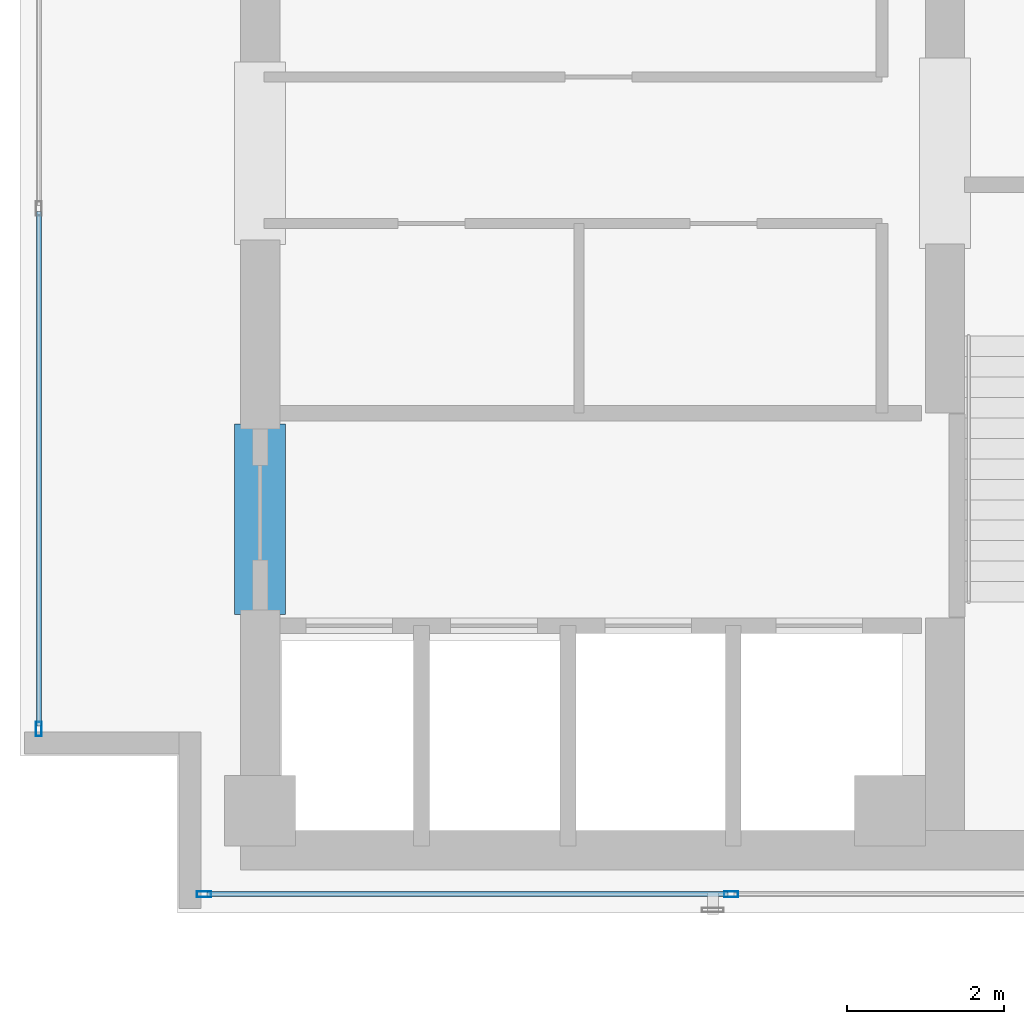
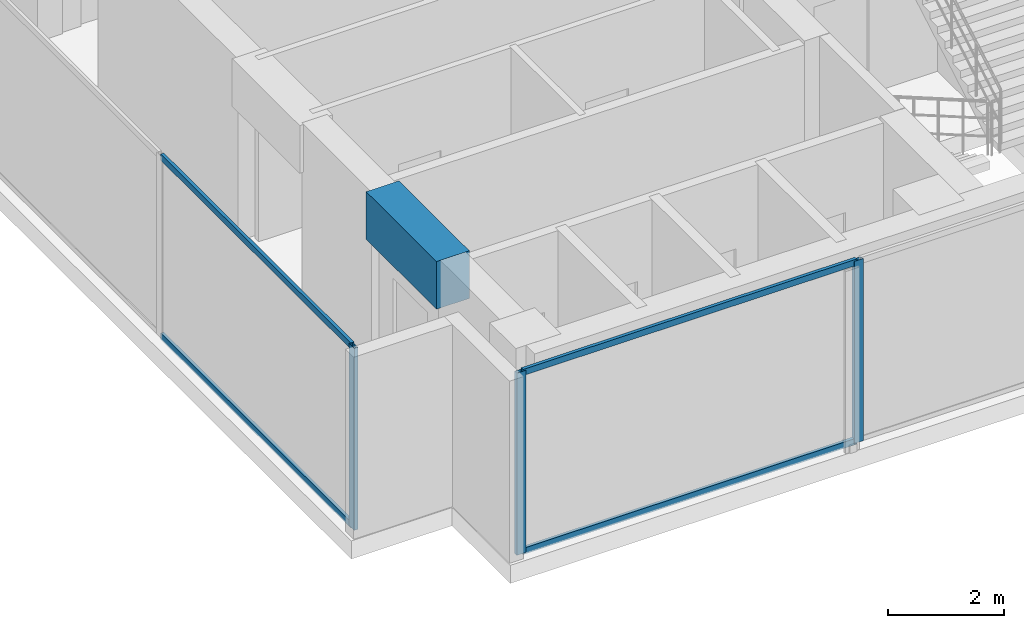
# One storey, part 2 of 32: 7 members, 1 beam, 2 elements without a shape of their own.
"""IFC4 building model written with IfcOpenShell, lengths in metres."""

from ifc_helpers import new_model, si_unit, direction, frame, origin, origin_with_axes, origin_2d, place, context, subcontext, project, spatial, rectangle, hollow_rectangle, extrude, source, transform, mapped, material, layer, layer_set, material_profile, profile_set, type_object, element, aggregate, save


model = new_model("IFC4")

# Units and contexts
model_context = context("Model", 3, precision=1e-05, world=origin(), true_north=direction((0.0, 1.0)))
body_context = subcontext(model_context, "Body", "Model", "MODEL_VIEW")
ifc_project = project(units=[si_unit("LENGTHUNIT", "METRE"), si_unit("AREAUNIT", "SQUARE_METRE"), si_unit("VOLUMEUNIT", "CUBIC_METRE"), si_unit("PLANEANGLEUNIT", "RADIAN"), si_unit("MASSUNIT", "GRAM", prefix="KILO")], contexts=[model_context])

# Site, building, storey
site_placement = place(None, origin())
site = spatial("IfcSite", under=ifc_project, at=site_placement, CompositionType="ELEMENT")
building_placement = place(site_placement, origin())
building = spatial("IfcBuilding", under=site, at=building_placement, Name="Kolvaren Waterfront Exchange", CompositionType="ELEMENT")
storey_placement = place(building_placement, frame((0.0, 0.0, 352.0)))
storey = spatial("IfcBuildingStorey", under=building, at=storey_placement, Name="L90", CompositionType="ELEMENT", Elevation=352.0)

# Beam
ifc_material_1 = material(Name="Concrete C60/75", Category="concrete")
ifc_material_profile_1 = material_profile(ifc_material_1, rectangle(XDim=0.64990234375, YDim=1.0, at=origin_2d()), Name="RC-CB-1000x650")
ifc_profile_set_1 = profile_set([ifc_material_profile_1], Name="Concrete C60/75")
beam_type = type_object("IfcBeamType", Name="STR-CB-1000", PredefinedType="SPANDREL", material=ifc_profile_set_1)
beam_placement = place(storey_placement, frame((7.449951171875, 7.389892578125, 3.320068359375), z_axis=(0.0, 1.0, 0.0), x_axis=(-1.0, 0.0, 0.0)))
element("IfcBeam", 1, at=beam_placement, inside=storey, type_object=beam_type, Name="L90 core coupling beam 3", PredefinedType="SPANDREL", context=body_context, shape_type="SweptSolid", body=[
    extrude(rectangle(XDim=0.64990234375, YDim=1.0, at=origin_2d()), origin(), (0.0, 0.0, 1.0), 2.420166015625),
])

# Curtain wall, members
ifc_material_2 = material(Name="Anodised bronze aluminium 6063-T6", Category="aluminium")
ifc_layer = layer(ifc_material_2, 0.219970703125, Name="Anodised bronze aluminium 6063-T6")
ifc_layer_set = layer_set([ifc_layer], Name="Anodised bronze aluminium 6063-T6")
curtain_wall_type = type_object("IfcCurtainWallType", Name="ARC-CW-SYS5", PredefinedType="USERDEFINED", material=ifc_layer_set)
curtain_wall_1_placement = place(storey_placement, origin())
curtain_wall_1 = element("IfcCurtainWall", 2, at=curtain_wall_1_placement, inside=storey, type_object=curtain_wall_type, Name="L90 stick curtain wall CW5 (CW-L90-S)", ObjectType="STICK CURTAIN WALL", PredefinedType="USERDEFINED")
ifc_material_profile_2 = material_profile(ifc_material_2, hollow_rectangle(XDim=0.06494140625, YDim=0.1298828125, WallThickness=0.00390625, at=origin_2d()), Name="ALU-TRN-130x65x4")
ifc_profile_set_2 = profile_set([ifc_material_profile_2], Name="Anodised bronze aluminium 6063-T6")
member_type_1 = type_object("IfcMemberType", Name="ARC-CWT-130", PredefinedType="USERDEFINED", material=ifc_profile_set_2)
shared_shape_1 = source(origin_with_axes(), body_context, "Body", "SweptSolid", [
    extrude(hollow_rectangle(XDim=0.06494140625, YDim=0.1298828125, WallThickness=0.00390625, at=origin_2d()), origin(), (0.0, 0.0, 1.0), 6.620849609375),
])
member_1_placement = place(storey_placement, frame((6.77490234375, 3.840087890625, 0.032470703125), z_axis=(1.0, 0.0, 0.0), x_axis=(0.0, 1.0, 0.0)))
member_1 = element("IfcMember", 3, at=member_1_placement, type_object=member_type_1, Name="CW5 transom 1.1", ObjectType="TRANSOM", PredefinedType="USERDEFINED", context=body_context, shape_type="MappedRepresentation", body=[
    mapped(shared_shape_1, transform((0.0, 0.0, 0.0), x_axis=(1.0, 0.0, 0.0), y_axis=(0.0, 1.0, 0.0), z_axis=(0.0, 0.0, 1.0), scale=1.0)),
])
member_2_placement = place(storey_placement, frame((6.77490234375, 3.840087890625, 3.78759765625), z_axis=(1.0, 0.0, 0.0), x_axis=(0.0, 1.0, 0.0)))
member_2 = element("IfcMember", 4, at=member_2_placement, type_object=member_type_1, Name="CW5 transom 1.2", ObjectType="TRANSOM", PredefinedType="USERDEFINED", context=body_context, shape_type="MappedRepresentation", body=[
    mapped(shared_shape_1, transform((0.0, 0.0, 0.0), x_axis=(1.0, 0.0, 0.0), y_axis=(0.0, 1.0, 0.0), z_axis=(0.0, 0.0, 1.0), scale=1.0)),
])

curtain_wall_2_placement = place(storey_placement, origin())
curtain_wall_2 = element("IfcCurtainWall", 5, at=curtain_wall_2_placement, inside=storey, type_object=curtain_wall_type, Name="L90 stick curtain wall CW5 (CW-L90-W)", ObjectType="STICK CURTAIN WALL", PredefinedType="USERDEFINED")
shared_shape_2 = source(origin_with_axes(), body_context, "Body", "SweptSolid", [
    extrude(hollow_rectangle(XDim=0.06494140625, YDim=0.1298828125, WallThickness=0.00390625, at=origin_2d()), origin(), (0.0, 0.0, 1.0), 6.537353515625),
])
member_3_placement = place(storey_placement, frame((4.639892578125, 5.97509765625, 0.032470703125), z_axis=(0.0, 1.0, 0.0), x_axis=(-1.0, 0.0, 0.0)))
member_3 = element("IfcMember", 6, at=member_3_placement, type_object=member_type_1, Name="CW5 transom 1.1", ObjectType="TRANSOM", PredefinedType="USERDEFINED", context=body_context, shape_type="MappedRepresentation", body=[
    mapped(shared_shape_2, transform((0.0, 0.0, 0.0), x_axis=(1.0, 0.0, 0.0), y_axis=(0.0, 1.0, 0.0), z_axis=(0.0, 0.0, 1.0), scale=1.0)),
])
member_4_placement = place(storey_placement, frame((4.639892578125, 5.97509765625, 3.78759765625), z_axis=(0.0, 1.0, 0.0), x_axis=(-1.0, 0.0, 0.0)))
member_4 = element("IfcMember", 7, at=member_4_placement, type_object=member_type_1, Name="CW5 transom 1.2", ObjectType="TRANSOM", PredefinedType="USERDEFINED", context=body_context, shape_type="MappedRepresentation", body=[
    mapped(shared_shape_2, transform((0.0, 0.0, 0.0), x_axis=(1.0, 0.0, 0.0), y_axis=(0.0, 1.0, 0.0), z_axis=(0.0, 0.0, 1.0), scale=1.0)),
])

# Member
ifc_material_profile_3 = material_profile(ifc_material_2, hollow_rectangle(XDim=0.074951171875, YDim=0.179931640625, WallThickness=0.00439453125, at=origin_2d()), Name="ALU-MUL-180x75x4.5")
ifc_profile_set_3 = profile_set([ifc_material_profile_3], Name="Anodised bronze aluminium 6063-T6")
member_type_2 = type_object("IfcMemberType", Name="ARC-CWM-180", PredefinedType="MULLION", material=ifc_profile_set_3)
shared_shape_3 = source(origin_with_axes(), body_context, "Body", "SweptSolid", [
    extrude(hollow_rectangle(XDim=0.074951171875, YDim=0.179931640625, WallThickness=0.00439453125, at=origin_2d()), origin(), (0.0, 0.0, 1.0), 3.820068359375),
])
member_5_placement = place(storey_placement, frame((6.737548828125, 3.840087890625, 0.0), z_axis=(0.0, 0.0, 1.0), x_axis=(0.0, 1.0, 0.0)))
member_5 = element("IfcMember", 8, at=member_5_placement, type_object=member_type_2, Name="CW5 mullion 1", PredefinedType="MULLION", context=body_context, shape_type="MappedRepresentation", body=[
    mapped(shared_shape_3, transform((0.0, 0.0, 0.0), x_axis=(1.0, 0.0, 0.0), y_axis=(0.0, 1.0, 0.0), z_axis=(0.0, 0.0, 1.0), scale=1.0)),
])

member_6_placement = place(storey_placement, frame((13.433349609375, 3.840087890625, 0.0), z_axis=(0.0, 0.0, 1.0), x_axis=(0.0, 1.0, 0.0)))
member_6 = element("IfcMember", 9, at=member_6_placement, type_object=member_type_2, Name="CW5 mullion 2", PredefinedType="MULLION", context=body_context, shape_type="MappedRepresentation", body=[
    mapped(shared_shape_3, transform((0.0, 0.0, 0.0), x_axis=(1.0, 0.0, 0.0), y_axis=(0.0, 1.0, 0.0), z_axis=(0.0, 0.0, 1.0), scale=1.0)),
])

aggregate(curtain_wall_1, [member_5, member_6, member_1, member_2])

member_7_placement = place(storey_placement, frame((4.639892578125, 5.9375, 0.0), z_axis=(0.0, 0.0, 1.0), x_axis=(-1.0, 0.0, 0.0)))
member_7 = element("IfcMember", 10, at=member_7_placement, type_object=member_type_2, Name="CW5 mullion 1", PredefinedType="MULLION", context=body_context, shape_type="MappedRepresentation", body=[
    mapped(shared_shape_3, transform((0.0, 0.0, 0.0), x_axis=(1.0, 0.0, 0.0), y_axis=(0.0, 1.0, 0.0), z_axis=(0.0, 0.0, 1.0), scale=1.0)),
])

aggregate(curtain_wall_2, [member_7, member_3, member_4])

save(model, "model.ifc")
